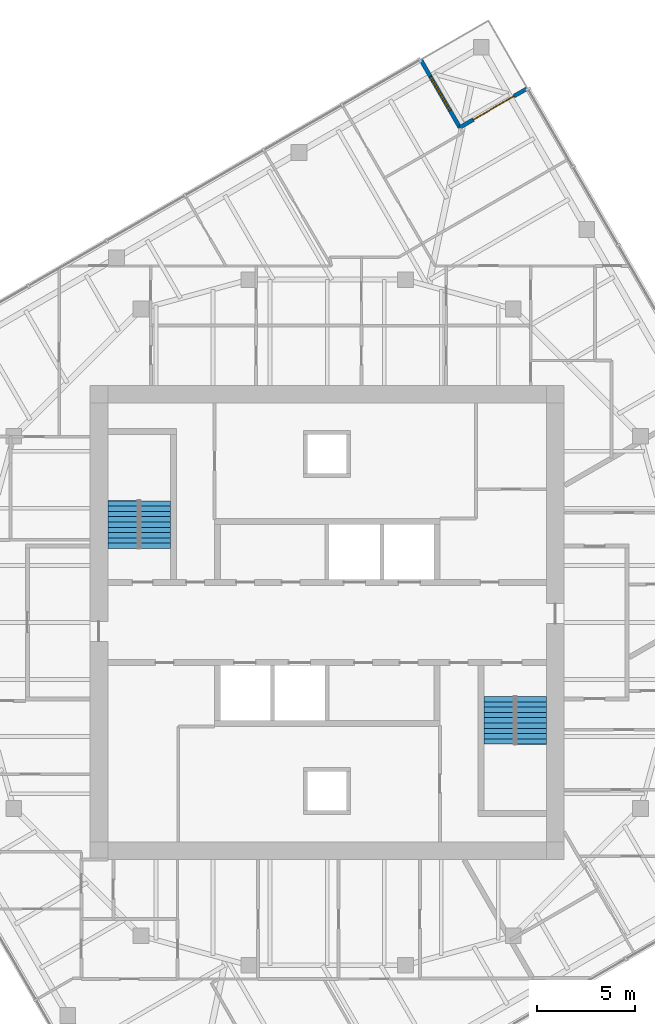
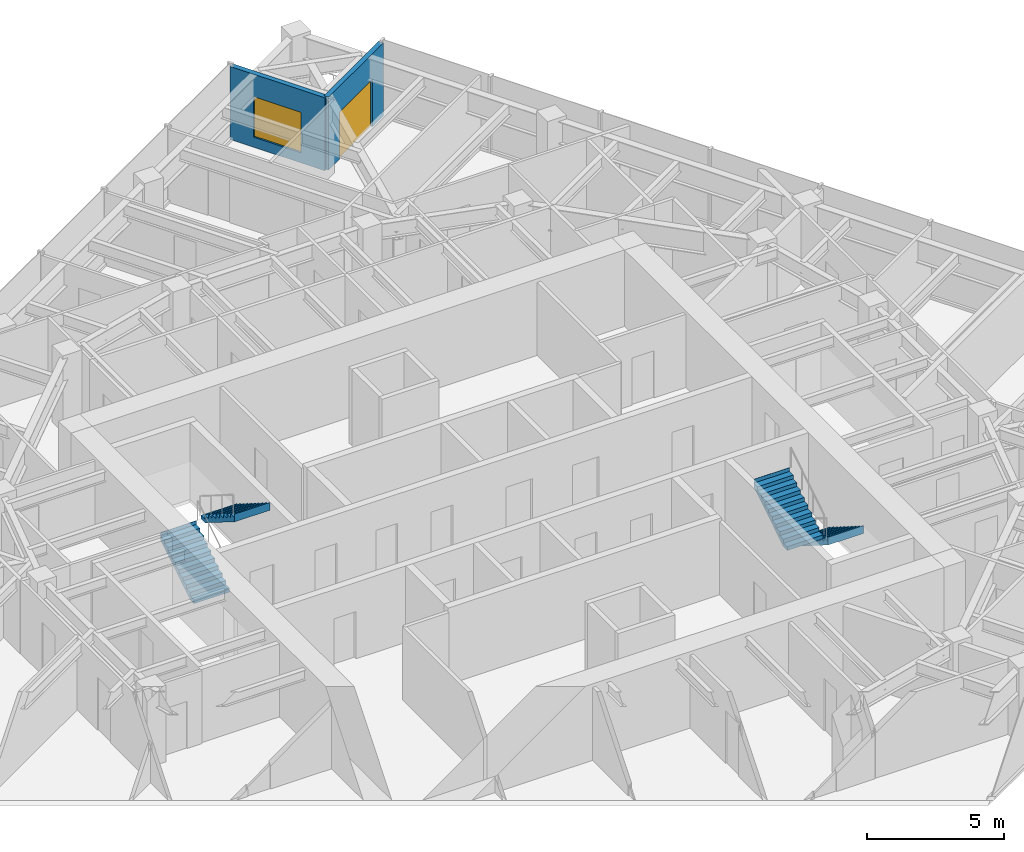
# One storey, part 12 of 13: 4 stair flights, 2 walls, 1 door, 1 window, 2 openings, 2 elements without a shape of their own.
"""IFC4 building model written with IfcOpenShell, lengths in metres."""

from ifc_helpers import new_model, si_unit, direction, frame, frame_2d, origin, place, context, subcontext, project, spatial, polyline, rectangle, outline, extrude, material, layer, layer_set, type_object, element, fill, aggregate, save


model = new_model("IFC4")

# Units and contexts
model_context = context("Model", 3, precision=1e-05, world=origin(), true_north=direction((0.0, 1.0)))
body_context = subcontext(model_context, "Body", "Model", "MODEL_VIEW")
ifc_project = project(units=[si_unit("LENGTHUNIT", "METRE"), si_unit("AREAUNIT", "SQUARE_METRE"), si_unit("VOLUMEUNIT", "CUBIC_METRE"), si_unit("PLANEANGLEUNIT", "RADIAN"), si_unit("MASSUNIT", "GRAM", prefix="KILO")], contexts=[model_context])

# Site, building, storey
site_placement = place(None, origin())
site = spatial("IfcSite", under=ifc_project, at=site_placement, CompositionType="ELEMENT")
building_placement = place(site_placement, origin())
building = spatial("IfcBuilding", under=site, at=building_placement, Name="Torsade Residences", CompositionType="ELEMENT")
storey_placement = place(building_placement, frame((0.0, 0.0, 228.60009765625)))
storey = spatial("IfcBuildingStorey", under=building, at=storey_placement, Name="L63", CompositionType="ELEMENT", Elevation=228.60009765625)

# Wall, opening, door
ifc_material_1 = material(Name="Stone-faced precast concrete 40 MPa panel", Category="masonry")
ifc_layer = layer(ifc_material_1, 0.199951171875)
ifc_layer_set = layer_set([ifc_layer], Name="Stone-faced precast concrete 40 MPa panel")
wall_type = type_object("IfcWallType", Name="TERRACE WALL 200", PredefinedType="SOLIDWALL", material=ifc_layer_set)
wall_1_placement = place(storey_placement, frame((50.235595703125, 57.271484375, 0.0), z_axis=(0.0, 0.0, 1.0), x_axis=(-0.866026010844, -0.49999894854, 0.0)))
wall_1 = element("IfcWall", 1, at=wall_1_placement, inside=storey, type_object=wall_type, Name="Terrace wall L63 5", PredefinedType="SOLIDWALL", context=body_context, shape_type="SweptSolid", body=[
    extrude(rectangle(XDim=4.0, YDim=0.199951171875, at=frame_2d((2.0, 0.0))), origin(), (0.0, 0.0, 1.0), 3.25),
])
opening_1_placement = place(wall_1_placement, frame((0.800048828125, 0.0, 0.0)))
opening_1 = element("IfcOpeningElement", 2, at=opening_1_placement, cuts=wall_1, Name="Opening D10A", PredefinedType="OPENING", context=body_context, shape_type="SweptSolid", body=[
    extrude(rectangle(XDim=2.39990234375, YDim=2.10009765625, at=frame_2d((1.199951171875, 1.050048828125))), frame((0.0, 0.10986328125, 0.0), z_axis=(0.0, -1.0, 0.0), x_axis=(1.0, 0.0, 0.0)), (0.0, 0.0, 1.0), 0.219970703125),
])
ifc_material_2 = material(Name="Aluminium-framed glass door", Category="aluminium")
door_type = type_object("IfcDoorType", Name="TERRACE SLIDING DOOR 2400x2100", OperationType="SLIDING_TO_LEFT", PredefinedType="DOOR", material=ifc_material_2)
door_placement = place(opening_1_placement, origin())
door = element("IfcDoor", 3, at=door_placement, inside=storey, type_object=door_type, Name="Terrace door L63 5", OperationType="SLIDING_TO_LEFT", OverallHeight=2.10009765625, OverallWidth=2.39990234375, PredefinedType="DOOR", context=body_context, shape_type="SweptSolid", body=[
    extrude(rectangle(XDim=2.39990234375, YDim=2.10009765625, at=frame_2d((1.199951171875, 1.050048828125))), frame((0.0, 0.02490234375, 0.0), z_axis=(0.0, -1.0, 0.0), x_axis=(1.0, 0.0, 0.0)), (0.0, 0.0, 1.0), 0.050048828125),
])
fill(opening_1, door)

# Wall, opening, window
wall_2_placement = place(storey_placement, frame((46.771484375, 55.271484375, 0.0), z_axis=(0.0, 0.0, 1.0), x_axis=(-0.49999894854, 0.866026010844, 0.0)))
wall_2 = element("IfcWall", 4, at=wall_2_placement, inside=storey, type_object=wall_type, Name="Terrace wall L63 6", PredefinedType="SOLIDWALL", context=body_context, shape_type="SweptSolid", body=[
    extrude(rectangle(XDim=4.0, YDim=0.199951171875, at=frame_2d((2.0, 0.0))), origin(), (0.0, 0.0, 1.0), 3.25),
])
opening_2_placement = place(wall_2_placement, frame((1.0, 0.0, 0.449951171875)))
opening_2 = element("IfcOpeningElement", 5, at=opening_2_placement, cuts=wall_2, Name="Opening W1B", PredefinedType="OPENING", context=body_context, shape_type="SweptSolid", body=[
    extrude(rectangle(XDim=2.0, YDim=1.800048828125, at=frame_2d((1.0, 0.89990234375))), frame((0.0, 0.10986328125, 0.0), z_axis=(0.0, -1.0, 0.0), x_axis=(1.0, 0.0, 0.0)), (0.0, 0.0, 1.0), 0.219970703125),
])
ifc_material_3 = material(Name="Aluminium-framed glass window", Category="aluminium")
window_type = type_object("IfcWindowType", Name="TERRACE WINDOW 2000x1800", PartitioningType="SINGLE_PANEL", PredefinedType="WINDOW", material=ifc_material_3)
window_placement = place(opening_2_placement, origin())
window = element("IfcWindow", 6, at=window_placement, inside=storey, type_object=window_type, Name="Terrace window L63 6", OverallHeight=1.800048828125, OverallWidth=2.0, PartitioningType="SINGLE_PANEL", PredefinedType="WINDOW", context=body_context, shape_type="SweptSolid", body=[
    extrude(rectangle(XDim=2.0, YDim=1.800048828125, at=frame_2d((1.0, 0.89990234375))), frame((0.0, 0.030029296875, 0.0), z_axis=(0.0, -1.0, 0.0), x_axis=(1.0, 0.0, 0.0)), (0.0, 0.0, 1.0), 0.06005859375),
])
fill(opening_2, window)

# Stair, stair flights
ifc_material_4 = material(Name="Precast concrete 40 MPa", Category="concrete")
stair_type = type_object("IfcStairType", Name="HALF-TURN FIRE STAIR 1500x3400", PredefinedType="HALF_TURN_STAIR", material=ifc_material_4)
stair_1_placement = place(storey_placement, origin())
stair_1 = element("IfcStair", 7, at=stair_1_placement, inside=storey, type_object=stair_type, Name="Stair ST1 L63", PredefinedType="HALF_TURN_STAIR")
ifc_material_5 = material(Name="Precast concrete 40 MPa", Category="concrete")
stair_flight_type = type_object("IfcStairFlightType", Name="PRECAST STAIR FLIGHT 1500x1700", PredefinedType="STRAIGHT", material=ifc_material_5)
stair_flight_1_placement = place(storey_placement, frame((29.550048828125, 33.780029296875, 0.0), z_axis=(0.0, 0.0, 1.0), x_axis=(0.0, 1.0, 0.0)))
stair_flight_1 = element("IfcStairFlight", 8, at=stair_flight_1_placement, type_object=stair_flight_type, Name="ST1 flight 1", NumberOfRisers=10, NumberOfTreads=9, PredefinedType="STRAIGHT", RiserHeight=0.17, TreadLength=0.27, context=body_context, shape_type="SweptSolid", body=[
    extrude(outline(polyline([(0.0, 0.0), (0.0, 0.169921875), (0.27001953125, 0.169921875), (0.27001953125, 0.340087890625), (0.5400390625, 0.340087890625), (0.5400390625, 0.510009765625), (0.81005859375, 0.510009765625), (0.81005859375, 0.679931640625), (1.080078125, 0.679931640625), (1.080078125, 0.85009765625), (1.35009765625, 0.85009765625), (1.35009765625, 1.02001953125), (1.6201171875, 1.02001953125), (1.6201171875, 1.18994140625), (1.889892578125, 1.18994140625), (1.889892578125, 1.360107421875), (2.159912109375, 1.360107421875), (2.159912109375, 1.530029296875), (2.429931640625, 1.530029296875), (2.429931640625, 1.699951171875), (2.43994140625, 1.699951171875), (2.43994140625, 1.352783203125), (2.429931640625, 1.352783203125), (0.28125, 0.0), (0.0, 0.0)])), frame((0.0, 0.75, 0.0), z_axis=(0.0, -1.0, 0.0), x_axis=(1.0, 0.0, 0.0)), (0.0, 0.0, 1.0), 1.5),
])
stair_flight_2_placement = place(storey_placement, frame((31.25, 36.2099609375, 1.699951171875), z_axis=(0.0, 0.0, 1.0), x_axis=(0.0, -1.0, 0.0)))
stair_flight_2 = element("IfcStairFlight", 9, at=stair_flight_2_placement, type_object=stair_flight_type, Name="ST1 flight 2", NumberOfRisers=10, NumberOfTreads=9, PredefinedType="STRAIGHT", RiserHeight=0.17, TreadLength=0.27, context=body_context, shape_type="SweptSolid", body=[
    extrude(outline(polyline([(0.0, 0.0), (0.0, 0.169921875), (0.27001953125, 0.169921875), (0.27001953125, 0.340087890625), (0.5400390625, 0.340087890625), (0.5400390625, 0.510009765625), (0.81005859375, 0.510009765625), (0.81005859375, 0.679931640625), (1.080078125, 0.679931640625), (1.080078125, 0.85009765625), (1.35009765625, 0.85009765625), (1.35009765625, 1.02001953125), (1.6201171875, 1.02001953125), (1.6201171875, 1.18994140625), (1.889892578125, 1.18994140625), (1.889892578125, 1.360107421875), (2.159912109375, 1.360107421875), (2.159912109375, 1.530029296875), (2.429931640625, 1.530029296875), (2.429931640625, 1.699951171875), (2.43994140625, 1.699951171875), (2.43994140625, 1.352783203125), (2.429931640625, 1.352783203125), (0.28125, 0.0), (0.0, 0.0)])), frame((0.0, 0.75, 0.0), z_axis=(0.0, -1.0, 0.0), x_axis=(1.0, 0.0, 0.0)), (0.0, 0.0, 1.0), 1.5),
])
aggregate(stair_1, [stair_flight_1, stair_flight_2])

stair_2_placement = place(storey_placement, origin())
stair_2 = element("IfcStair", 10, at=stair_2_placement, inside=storey, type_object=stair_type, Name="Stair ST2 L63", PredefinedType="HALF_TURN_STAIR")
stair_flight_3_placement = place(storey_placement, frame((50.449951171875, 26.219970703125, 0.0), z_axis=(0.0, 0.0, 1.0), x_axis=(0.0, -1.0, 0.0)))
stair_flight_3 = element("IfcStairFlight", 11, at=stair_flight_3_placement, type_object=stair_flight_type, Name="ST2 flight 1", NumberOfRisers=10, NumberOfTreads=9, PredefinedType="STRAIGHT", RiserHeight=0.17, TreadLength=0.27, context=body_context, shape_type="SweptSolid", body=[
    extrude(outline(polyline([(0.0, 0.0), (0.0, 0.169921875), (0.27001953125, 0.169921875), (0.27001953125, 0.340087890625), (0.5400390625, 0.340087890625), (0.5400390625, 0.510009765625), (0.81005859375, 0.510009765625), (0.81005859375, 0.679931640625), (1.080078125, 0.679931640625), (1.080078125, 0.85009765625), (1.35009765625, 0.85009765625), (1.35009765625, 1.02001953125), (1.6201171875, 1.02001953125), (1.6201171875, 1.18994140625), (1.889892578125, 1.18994140625), (1.889892578125, 1.360107421875), (2.159912109375, 1.360107421875), (2.159912109375, 1.530029296875), (2.429931640625, 1.530029296875), (2.429931640625, 1.699951171875), (2.43994140625, 1.699951171875), (2.43994140625, 1.352783203125), (2.429931640625, 1.352783203125), (0.28125, 0.0), (0.0, 0.0)])), frame((0.0, 0.75, 0.0), z_axis=(0.0, -1.0, 0.0), x_axis=(1.0, 0.0, 0.0)), (0.0, 0.0, 1.0), 1.5),
])
stair_flight_4_placement = place(storey_placement, frame((48.75, 23.7900390625, 1.699951171875), z_axis=(0.0, 0.0, 1.0), x_axis=(0.0, 1.0, 0.0)))
stair_flight_4 = element("IfcStairFlight", 12, at=stair_flight_4_placement, type_object=stair_flight_type, Name="ST2 flight 2", NumberOfRisers=10, NumberOfTreads=9, PredefinedType="STRAIGHT", RiserHeight=0.17, TreadLength=0.27, context=body_context, shape_type="SweptSolid", body=[
    extrude(outline(polyline([(0.0, 0.0), (0.0, 0.169921875), (0.27001953125, 0.169921875), (0.27001953125, 0.340087890625), (0.5400390625, 0.340087890625), (0.5400390625, 0.510009765625), (0.81005859375, 0.510009765625), (0.81005859375, 0.679931640625), (1.080078125, 0.679931640625), (1.080078125, 0.85009765625), (1.35009765625, 0.85009765625), (1.35009765625, 1.02001953125), (1.6201171875, 1.02001953125), (1.6201171875, 1.18994140625), (1.889892578125, 1.18994140625), (1.889892578125, 1.360107421875), (2.159912109375, 1.360107421875), (2.159912109375, 1.530029296875), (2.429931640625, 1.530029296875), (2.429931640625, 1.699951171875), (2.43994140625, 1.699951171875), (2.43994140625, 1.352783203125), (2.429931640625, 1.352783203125), (0.28125, 0.0), (0.0, 0.0)])), frame((0.0, 0.75, 0.0), z_axis=(0.0, -1.0, 0.0), x_axis=(1.0, 0.0, 0.0)), (0.0, 0.0, 1.0), 1.5),
])
aggregate(stair_2, [stair_flight_3, stair_flight_4])

save(model, "model.ifc")
